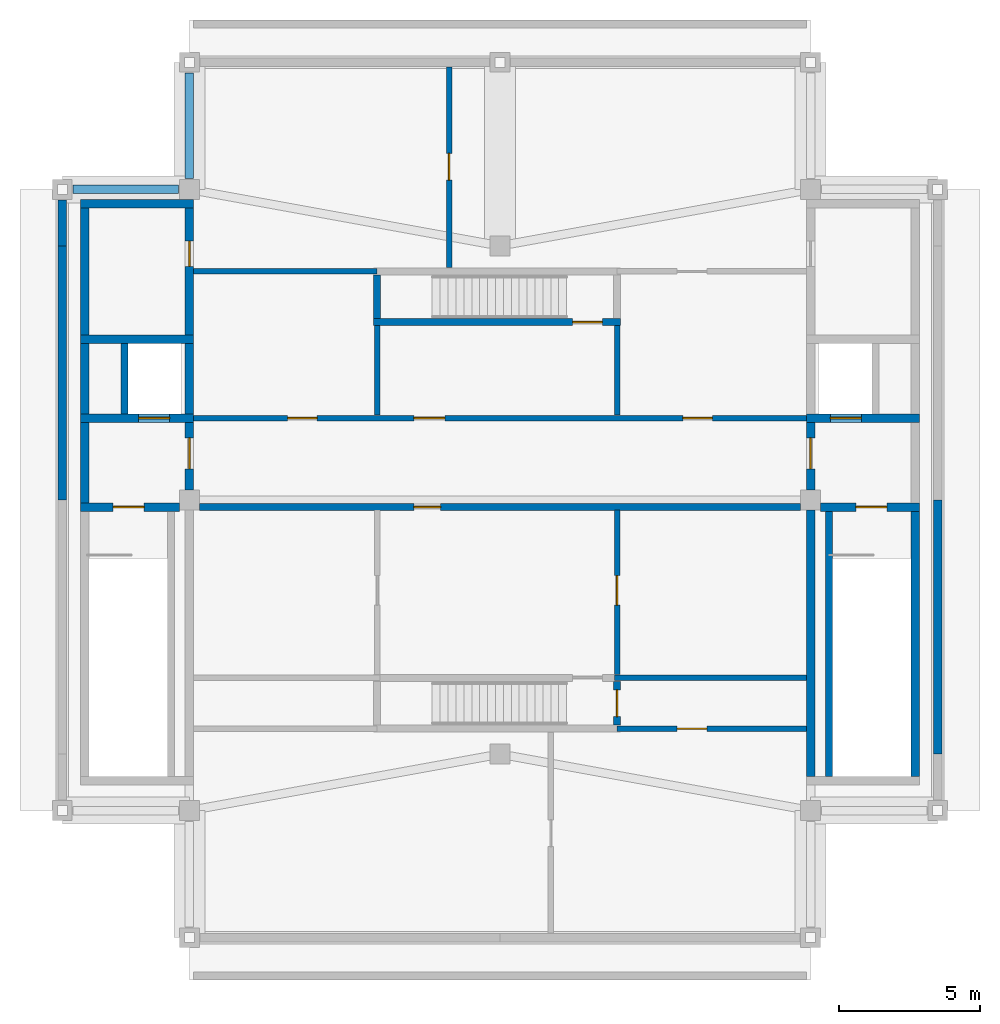
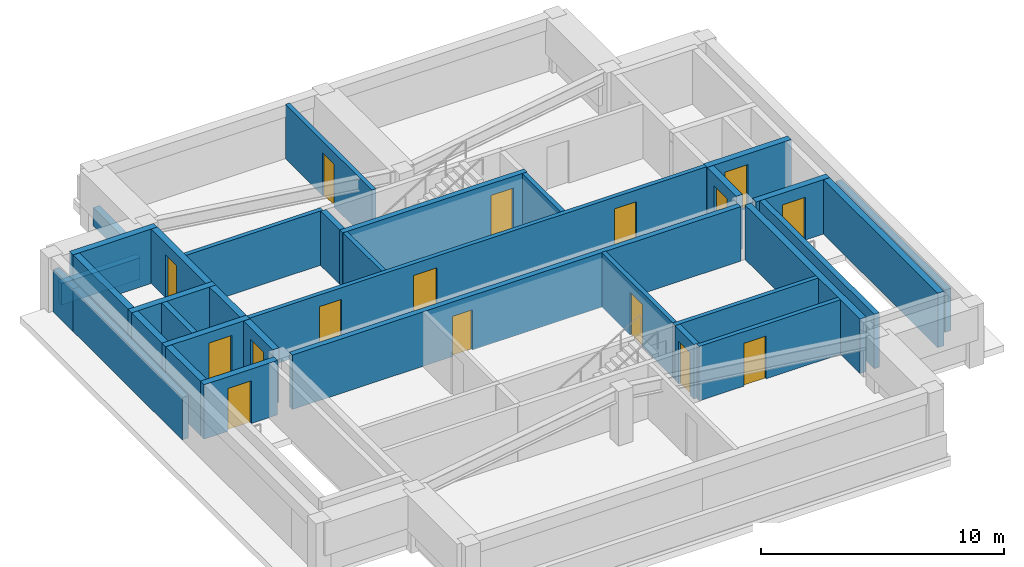
# One storey, part 2 of 4: 34 walls, 16 doors, 16 openings.
"""IFC4 building model written with IfcOpenShell, lengths in metres."""

from ifc_helpers import new_model, si_unit, direction, frame, frame_2d, origin, place, context, subcontext, project, spatial, rectangle, extrude, material, layer, layer_set, type_object, element, fill, save


model = new_model("IFC4")

# Units and contexts
model_context = context("Model", 3, precision=1e-05, world=origin(), true_north=direction((0.0, 1.0)))
body_context = subcontext(model_context, "Body", "Model", "MODEL_VIEW")
ifc_project = project(units=[si_unit("LENGTHUNIT", "METRE"), si_unit("AREAUNIT", "SQUARE_METRE"), si_unit("VOLUMEUNIT", "CUBIC_METRE"), si_unit("PLANEANGLEUNIT", "RADIAN"), si_unit("MASSUNIT", "GRAM", prefix="KILO")], contexts=[model_context])

# Site, building, storey
site_placement = place(None, origin())
site = spatial("IfcSite", under=ifc_project, at=site_placement, CompositionType="ELEMENT")
building_placement = place(site_placement, origin())
building = spatial("IfcBuilding", under=site, at=building_placement, Name="Zulmaris Gate Convention Tower", CompositionType="ELEMENT")
storey_placement = place(building_placement, frame((0.0, 0.0, 290.97998046875)))
storey = spatial("IfcBuildingStorey", under=building, at=storey_placement, Name="L78", CompositionType="ELEMENT", Elevation=290.97998046875)

# Wall, opening, door
ifc_material_1 = material(Name="Concrete C50/60", Category="concrete")
ifc_layer_1 = layer(ifc_material_1, 0.25, Name="Concrete C50/60")
ifc_layer_set_1 = layer_set([ifc_layer_1], Name="Concrete C50/60")
wall_type_1 = type_object("IfcWallType", Name="CORE-250", PredefinedType="SOLIDWALL", material=ifc_layer_set_1)
wall_1_placement = place(storey_placement, frame((-4.47509765625, 6.300048828125, 0.0), z_axis=(0.0, 0.0, 1.0), x_axis=(1.0, 0.0, 0.0)))
wall_1 = element("IfcWall", 1, at=wall_1_placement, inside=storey, type_object=wall_type_1, Name="WL-L78-011", PredefinedType="SOLIDWALL", context=body_context, shape_type="SweptSolid", body=[
    extrude(rectangle(XDim=8.75, YDim=0.25, at=frame_2d((4.375, 0.0))), origin(), (0.0, 0.0, 1.0), 2.735107421875),
])
opening_1_placement = place(wall_1_placement, frame((7.050048828125, 0.0, 0.0)))
opening_1 = element("IfcOpeningElement", 2, at=opening_1_placement, cuts=wall_1, Name="Opening D-09", PredefinedType="OPENING", context=body_context, shape_type="SweptSolid", body=[
    extrude(rectangle(XDim=1.050048828125, YDim=2.14990234375, at=frame_2d((0.52490234375, 1.074951171875))), frame((0.0, 0.135009765625, 0.0), z_axis=(0.0, -1.0, 0.0), x_axis=(1.0, 0.0, 0.0)), (0.0, 0.0, 1.0), 0.27001953125),
])
ifc_material_2 = material(Name="Fire-Rated Steel", Category="steel")
door_type_1 = type_object("IfcDoorType", Name="DR-1050-FD", OperationType="NOTDEFINED", PredefinedType="DOOR", material=ifc_material_2)
door_1_placement = place(opening_1_placement, origin())
door_1 = element("IfcDoor", 3, at=door_1_placement, inside=storey, type_object=door_type_1, Name="L78 Crown Stair ST-8 Door 10", OperationType="SINGLE_SWING_LEFT", OverallHeight=2.14990234375, OverallWidth=1.050048828125, PredefinedType="DOOR", context=body_context, shape_type="SweptSolid", body=[
    extrude(rectangle(XDim=1.050048828125, YDim=2.14990234375, at=frame_2d((0.52490234375, 1.074951171875))), frame((0.0, 0.02490234375, 0.0), z_axis=(0.0, -1.0, 0.0), x_axis=(1.0, 0.0, 0.0)), (0.0, 0.0, 1.0), 0.050048828125),
])
fill(opening_1, door_1)

wall_2_placement = place(storey_placement, frame((-10.64404296875, -0.25, 0.0), z_axis=(0.0, 0.0, 1.0), x_axis=(1.0, 0.0, 0.0)))
wall_2 = element("IfcWall", 4, at=wall_2_placement, inside=storey, type_object=wall_type_1, Name="WL-L78-019", PredefinedType="SOLIDWALL", context=body_context, shape_type="SweptSolid", body=[
    extrude(rectangle(XDim=21.2880859375, YDim=0.25, at=frame_2d((10.64404296875, 0.0))), origin(), (0.0, 0.0, 1.0), 2.735107421875),
])
opening_2_placement = place(wall_2_placement, frame((7.593994140625, 0.0, 0.0)))
opening_2 = element("IfcOpeningElement", 5, at=opening_2_placement, cuts=wall_2, Name="Opening D-25", PredefinedType="OPENING", context=body_context, shape_type="SweptSolid", body=[
    extrude(rectangle(XDim=0.949951171875, YDim=2.02001953125, at=frame_2d((0.47509765625, 1.010009765625))), frame((0.0, 0.135009765625, 0.0), z_axis=(0.0, -1.0, 0.0), x_axis=(1.0, 0.0, 0.0)), (0.0, 0.0, 1.0), 0.27001953125),
])
door_type_2 = type_object("IfcDoorType", Name="DR-950-LOW-FD", OperationType="NOTDEFINED", PredefinedType="DOOR", material=ifc_material_2)
door_2_placement = place(opening_2_placement, origin())
door_2 = element("IfcDoor", 6, at=door_2_placement, inside=storey, type_object=door_type_2, Name="L78 South Crown Passage Door 11", OperationType="SINGLE_SWING_RIGHT", OverallHeight=2.02001953125, OverallWidth=0.949951171875, PredefinedType="DOOR", context=body_context, shape_type="SweptSolid", body=[
    extrude(rectangle(XDim=0.949951171875, YDim=2.02001953125, at=frame_2d((0.47509765625, 1.010009765625))), frame((0.0, 0.02490234375, 0.0), z_axis=(0.0, -1.0, 0.0), x_axis=(1.0, 0.0, 0.0)), (0.0, 0.0, 1.0), 0.050048828125),
])
fill(opening_2, door_2)

# Walls
wall_3_placement = place(storey_placement, frame((-13.300048828125, 3.052001953125, 0.0), z_axis=(0.0, 0.0, 1.0), x_axis=(0.0, 1.0, 0.0)))
element("IfcWall", 7, at=wall_3_placement, inside=storey, type_object=wall_type_1, Name="WL-L78-027", PredefinedType="SOLIDWALL", context=body_context, shape_type="SweptSolid", body=[
    extrude(rectangle(XDim=2.49609375, YDim=0.25, at=frame_2d((1.248046875, 0.0))), origin(), (0.0, 0.0, 1.0), 2.735107421875),
])
wall_4_placement = place(storey_placement, frame((-4.35009765625, 6.427001953125, 0.0), z_axis=(0.0, 0.0, 1.0), x_axis=(0.0, 1.0, 0.0)))
element("IfcWall", 8, at=wall_4_placement, inside=storey, type_object=wall_type_1, Name="WL-L78-034", PredefinedType="SOLIDWALL", context=body_context, shape_type="SweptSolid", body=[
    extrude(rectangle(XDim=1.5458984375, YDim=0.25, at=frame_2d((0.77294921875, 0.0))), origin(), (0.0, 0.0, 1.0), 2.735107421875),
])

# Wall, opening, door
wall_5_placement = place(storey_placement, frame((4.14990234375, -7.972900390625, 0.0), z_axis=(0.0, 0.0, 1.0), x_axis=(0.0, 1.0, 0.0)))
wall_5 = element("IfcWall", 9, at=wall_5_placement, inside=storey, type_object=wall_type_1, Name="WL-L78-035", PredefinedType="SOLIDWALL", context=body_context, shape_type="SweptSolid", body=[
    extrude(rectangle(XDim=1.5458984375, YDim=0.25, at=frame_2d((0.77294921875, 0.0))), origin(), (0.0, 0.0, 1.0), 2.735107421875),
])
opening_3_placement = place(wall_5_placement, frame((0.298095703125, 0.0, 0.0)))
opening_3 = element("IfcOpeningElement", 10, at=opening_3_placement, cuts=wall_5, Name="Opening D-11", PredefinedType="OPENING", context=body_context, shape_type="SweptSolid", body=[
    extrude(rectangle(XDim=0.949951171875, YDim=2.14990234375, at=frame_2d((0.47509765625, 1.074951171875))), frame((0.0, 0.135009765625, 0.0), z_axis=(0.0, -1.0, 0.0), x_axis=(1.0, 0.0, 0.0)), (0.0, 0.0, 1.0), 0.27001953125),
])
ifc_material_3 = material(Name="Fire-Rated Timber", Category="wood")
door_type_3 = type_object("IfcDoorType", Name="DR-950-FD", OperationType="NOTDEFINED", PredefinedType="DOOR", material=ifc_material_3)
door_3_placement = place(opening_3_placement, origin())
door_3 = element("IfcDoor", 11, at=door_3_placement, inside=storey, type_object=door_type_3, Name="L78 South Vestibule Door 20", OperationType="SINGLE_SWING_LEFT", OverallHeight=2.14990234375, OverallWidth=0.949951171875, PredefinedType="DOOR", context=body_context, shape_type="SweptSolid", body=[
    extrude(rectangle(XDim=0.949951171875, YDim=2.14990234375, at=frame_2d((0.47509765625, 1.074951171875))), frame((0.0, 0.02490234375, 0.0), z_axis=(0.0, -1.0, 0.0), x_axis=(1.0, 0.0, 0.0)), (0.0, 0.0, 1.0), 0.050048828125),
])
fill(opening_3, door_3)

# Wall
wall_6_placement = place(storey_placement, frame((11.64990234375, -9.798095703125, 0.0), z_axis=(0.0, 0.0, 1.0), x_axis=(0.0, 1.0, 0.0)))
element("IfcWall", 12, at=wall_6_placement, inside=storey, type_object=wall_type_1, Name="WL-L78-041", PredefinedType="SOLIDWALL", context=body_context, shape_type="SweptSolid", body=[
    extrude(rectangle(XDim=9.39599609375, YDim=0.25, at=frame_2d((4.697998046875, 0.0))), origin(), (0.0, 0.0, 1.0), 2.735107421875),
])

# Wall, opening, door
ifc_layer_2 = layer(ifc_material_1, 0.300048828125, Name="Concrete C50/60")
ifc_layer_set_2 = layer_set([ifc_layer_2], Name="Concrete C50/60")
wall_type_2 = type_object("IfcWallType", Name="CORE-300", PredefinedType="SHEAR", material=ifc_layer_set_2)
wall_7_placement = place(storey_placement, frame((-14.85009765625, -0.25, 0.0), z_axis=(0.0, 0.0, 1.0), x_axis=(1.0, 0.0, 0.0)))
wall_7 = element("IfcWall", 13, at=wall_7_placement, inside=storey, type_object=wall_type_2, Name="WL-L78-005", PredefinedType="SHEAR", context=body_context, shape_type="SweptSolid", body=[
    extrude(rectangle(XDim=3.49609375, YDim=0.300048828125, at=frame_2d((1.748046875, 0.0))), origin(), (0.0, 0.0, 1.0), 2.735107421875),
])
opening_4_placement = place(wall_7_placement, frame((1.14990234375, 0.0, 0.0)))
opening_4 = element("IfcOpeningElement", 14, at=opening_4_placement, cuts=wall_7, Name="Opening D-08", PredefinedType="OPENING", context=body_context, shape_type="SweptSolid", body=[
    extrude(rectangle(XDim=1.10009765625, YDim=2.14990234375, at=frame_2d((0.550048828125, 1.074951171875))), frame((0.0, 0.16015625, 0.0), z_axis=(0.0, -1.0, 0.0), x_axis=(1.0, 0.0, 0.0)), (0.0, 0.0, 1.0), 0.320068359375),
])
door_type_4 = type_object("IfcDoorType", Name="DR-1100-FD", OperationType="NOTDEFINED", PredefinedType="DOOR", material=ifc_material_2)
door_4_placement = place(opening_4_placement, origin())
door_4 = element("IfcDoor", 15, at=door_4_placement, inside=storey, type_object=door_type_4, Name="L78 Exit Stair ST-1 Door 01", OperationType="SINGLE_SWING_RIGHT", OverallHeight=2.14990234375, OverallWidth=1.10009765625, PredefinedType="DOOR", context=body_context, shape_type="SweptSolid", body=[
    extrude(rectangle(XDim=1.10009765625, YDim=2.14990234375, at=frame_2d((0.550048828125, 1.074951171875))), frame((0.0, 0.02490234375, 0.0), z_axis=(0.0, -1.0, 0.0), x_axis=(1.0, 0.0, 0.0)), (0.0, 0.0, 1.0), 0.050048828125),
])
fill(opening_4, door_4)

wall_8_placement = place(storey_placement, frame((11.35400390625, -0.25, 0.0), z_axis=(0.0, 0.0, 1.0), x_axis=(1.0, 0.0, 0.0)))
wall_8 = element("IfcWall", 16, at=wall_8_placement, inside=storey, type_object=wall_type_2, Name="WL-L78-006", PredefinedType="SHEAR", context=body_context, shape_type="SweptSolid", body=[
    extrude(rectangle(XDim=3.49609375, YDim=0.300048828125, at=frame_2d((1.748046875, 0.0))), origin(), (0.0, 0.0, 1.0), 2.735107421875),
])
opening_5_placement = place(wall_8_placement, frame((1.24609375, 0.0, 0.0)))
opening_5 = element("IfcOpeningElement", 17, at=opening_5_placement, cuts=wall_8, Name="Opening D-08", PredefinedType="OPENING", context=body_context, shape_type="SweptSolid", body=[
    extrude(rectangle(XDim=1.10009765625, YDim=2.14990234375, at=frame_2d((0.550048828125, 1.074951171875))), frame((0.0, 0.16015625, 0.0), z_axis=(0.0, -1.0, 0.0), x_axis=(1.0, 0.0, 0.0)), (0.0, 0.0, 1.0), 0.320068359375),
])
door_5_placement = place(opening_5_placement, origin())
door_5 = element("IfcDoor", 18, at=door_5_placement, inside=storey, type_object=door_type_4, Name="L78 Exit Stair ST-2 Door 04", OperationType="SINGLE_SWING_RIGHT", OverallHeight=2.14990234375, OverallWidth=1.10009765625, PredefinedType="DOOR", context=body_context, shape_type="SweptSolid", body=[
    extrude(rectangle(XDim=1.10009765625, YDim=2.14990234375, at=frame_2d((0.550048828125, 1.074951171875))), frame((0.0, 0.02490234375, 0.0), z_axis=(0.0, -1.0, 0.0), x_axis=(1.0, 0.0, 0.0)), (0.0, 0.0, 1.0), 0.050048828125),
])
fill(opening_5, door_5)

wall_9_placement = place(storey_placement, frame((-14.85009765625, 2.89990234375, 0.0), z_axis=(0.0, 0.0, 1.0), x_axis=(1.0, 0.0, 0.0)))
wall_9 = element("IfcWall", 19, at=wall_9_placement, inside=storey, type_object=wall_type_2, Name="WL-L78-007", PredefinedType="SHEAR", context=body_context, shape_type="SweptSolid", body=[
    extrude(rectangle(XDim=4.0, YDim=0.300048828125, at=frame_2d((2.0, 0.0))), origin(), (0.0, 0.0, 1.0), 2.735107421875),
])
opening_6_placement = place(wall_9_placement, frame((2.050048828125, 0.0, 0.0)))
opening_6 = element("IfcOpeningElement", 20, at=opening_6_placement, cuts=wall_9, Name="Opening D-06", PredefinedType="OPENING", context=body_context, shape_type="SweptSolid", body=[
    extrude(rectangle(XDim=1.10009765625, YDim=2.199951171875, at=frame_2d((0.550048828125, 1.10009765625))), frame((0.0, 0.16015625, 0.0), z_axis=(0.0, -1.0, 0.0), x_axis=(1.0, 0.0, 0.0)), (0.0, 0.0, 1.0), 0.320068359375),
])
ifc_material_4 = material(Name="Brushed Stainless Steel", Category="steel")
door_type_5 = type_object("IfcDoorType", Name="LD-1100", OperationType="NOTDEFINED", PredefinedType="DOOR", material=ifc_material_4)
door_6_placement = place(opening_6_placement, origin())
door_6 = element("IfcDoor", 21, at=door_6_placement, inside=storey, type_object=door_type_5, Name="L78 Lift Landing Door LF-01 03", OperationType="SLIDING_TO_LEFT", OverallHeight=2.199951171875, OverallWidth=1.10009765625, PredefinedType="DOOR", context=body_context, shape_type="SweptSolid", body=[
    extrude(rectangle(XDim=1.10009765625, YDim=2.199951171875, at=frame_2d((0.550048828125, 1.10009765625))), frame((0.0, 0.02490234375, 0.0), z_axis=(0.0, -1.0, 0.0), x_axis=(1.0, 0.0, 0.0)), (0.0, 0.0, 1.0), 0.050048828125),
])
fill(opening_6, door_6)

wall_10_placement = place(storey_placement, frame((10.85009765625, 2.89990234375, 0.0), z_axis=(0.0, 0.0, 1.0), x_axis=(1.0, 0.0, 0.0)))
wall_10 = element("IfcWall", 22, at=wall_10_placement, inside=storey, type_object=wall_type_2, Name="WL-L78-008", PredefinedType="SHEAR", context=body_context, shape_type="SweptSolid", body=[
    extrude(rectangle(XDim=4.0, YDim=0.300048828125, at=frame_2d((2.0, 0.0))), origin(), (0.0, 0.0, 1.0), 2.735107421875),
])
opening_7_placement = place(wall_10_placement, frame((0.85009765625, 0.0, 0.0)))
opening_7 = element("IfcOpeningElement", 23, at=opening_7_placement, cuts=wall_10, Name="Opening D-06", PredefinedType="OPENING", context=body_context, shape_type="SweptSolid", body=[
    extrude(rectangle(XDim=1.10009765625, YDim=2.199951171875, at=frame_2d((0.550048828125, 1.10009765625))), frame((0.0, 0.16015625, 0.0), z_axis=(0.0, -1.0, 0.0), x_axis=(1.0, 0.0, 0.0)), (0.0, 0.0, 1.0), 0.320068359375),
])
door_7_placement = place(opening_7_placement, origin())
door_7 = element("IfcDoor", 24, at=door_7_placement, inside=storey, type_object=door_type_5, Name="L78 Lift Landing Door LF-02 06", OperationType="SLIDING_TO_RIGHT", OverallHeight=2.199951171875, OverallWidth=1.10009765625, PredefinedType="DOOR", context=body_context, shape_type="SweptSolid", body=[
    extrude(rectangle(XDim=1.10009765625, YDim=2.199951171875, at=frame_2d((0.550048828125, 1.10009765625))), frame((0.0, 0.02490234375, 0.0), z_axis=(0.0, -1.0, 0.0), x_axis=(1.0, 0.0, 0.0)), (0.0, 0.0, 1.0), 0.050048828125),
])
fill(opening_7, door_7)

# Walls
for number, where, z_axis, x_axis, name in (
    (25, (-14.85009765625, 5.699951171875, 0.0), (0.0, 0.0, 1.0), (1.0, 0.0, 0.0), "WL-L78-009"),
    (26, (-14.85009765625, 10.5, 0.0), (0.0, 0.0, 1.0), (1.0, 0.0, 0.0), "WL-L78-013"),
):
    element("IfcWall", number, at=place(storey_placement, frame(where, z_axis=z_axis, x_axis=x_axis)), inside=storey, type_object=wall_type_2, Name=name, PredefinedType="SHEAR", context=body_context, shape_type="SweptSolid", body=[
        extrude(rectangle(XDim=4.0, YDim=0.300048828125, at=frame_2d((2.0, 0.0))), origin(), (0.0, 0.0, 1.0), 2.735107421875),
    ])
wall_11_placement = place(storey_placement, frame((-14.699951171875, -0.097900390625, 0.0), z_axis=(0.0, 0.0, 1.0), x_axis=(0.0, 1.0, 0.0)))
element("IfcWall", 27, at=wall_11_placement, inside=storey, type_object=wall_type_2, Name="WL-L78-024", PredefinedType="SHEAR", context=body_context, shape_type="SweptSolid", body=[
    extrude(rectangle(XDim=2.845947265625, YDim=0.300048828125, at=frame_2d((1.4228515625, 0.0))), origin(), (0.0, 0.0, 1.0), 2.735107421875),
])
wall_12_placement = place(storey_placement, frame((-14.699951171875, 3.052001953125, 0.0), z_axis=(0.0, 0.0, 1.0), x_axis=(0.0, 1.0, 0.0)))
element("IfcWall", 28, at=wall_12_placement, inside=storey, type_object=wall_type_2, Name="WL-L78-025", PredefinedType="SHEAR", context=body_context, shape_type="SweptSolid", body=[
    extrude(rectangle(XDim=2.49609375, YDim=0.300048828125, at=frame_2d((1.248046875, 0.0))), origin(), (0.0, 0.0, 1.0), 2.735107421875),
])
wall_13_placement = place(storey_placement, frame((-14.699951171875, 5.85205078125, 0.0), z_axis=(0.0, 0.0, 1.0), x_axis=(0.0, 1.0, 0.0)))
element("IfcWall", 29, at=wall_13_placement, inside=storey, type_object=wall_type_2, Name="WL-L78-026", PredefinedType="SHEAR", context=body_context, shape_type="SweptSolid", body=[
    extrude(rectangle(XDim=4.495849609375, YDim=0.300048828125, at=frame_2d((2.248046875, 0.0))), origin(), (0.0, 0.0, 1.0), 2.735107421875),
])

# Wall, opening, door
wall_14_placement = place(storey_placement, frame((-11.0, 0.35400390625, 0.0), z_axis=(0.0, 0.0, 1.0), x_axis=(0.0, 1.0, 0.0)))
wall_14 = element("IfcWall", 30, at=wall_14_placement, inside=storey, type_object=wall_type_2, Name="WL-L78-030", PredefinedType="SHEAR", context=body_context, shape_type="SweptSolid", body=[
    extrude(rectangle(XDim=2.39404296875, YDim=0.300048828125, at=frame_2d((1.197021484375, 0.0))), origin(), (0.0, 0.0, 1.0), 2.735107421875),
])
opening_8_placement = place(wall_14_placement, frame((0.74609375, 0.0, 0.0)))
opening_8 = element("IfcOpeningElement", 31, at=opening_8_placement, cuts=wall_14, Name="Opening D-08", PredefinedType="OPENING", context=body_context, shape_type="SweptSolid", body=[
    extrude(rectangle(XDim=1.10009765625, YDim=2.14990234375, at=frame_2d((0.550048828125, 1.074951171875))), frame((0.0, 0.16015625, 0.0), z_axis=(0.0, -1.0, 0.0), x_axis=(1.0, 0.0, 0.0)), (0.0, 0.0, 1.0), 0.320068359375),
])
door_8_placement = place(opening_8_placement, origin())
door_8 = element("IfcDoor", 32, at=door_8_placement, inside=storey, type_object=door_type_4, Name="L78 West Firefighting Lobby Door 02", OperationType="SINGLE_SWING_LEFT", OverallHeight=2.14990234375, OverallWidth=1.10009765625, PredefinedType="DOOR", context=body_context, shape_type="SweptSolid", body=[
    extrude(rectangle(XDim=1.10009765625, YDim=2.14990234375, at=frame_2d((0.550048828125, 1.074951171875))), frame((0.0, 0.02490234375, 0.0), z_axis=(0.0, -1.0, 0.0), x_axis=(1.0, 0.0, 0.0)), (0.0, 0.0, 1.0), 0.050048828125),
])
fill(opening_8, door_8)

# Wall
wall_15_placement = place(storey_placement, frame((-11.0, 3.052001953125, 0.0), z_axis=(0.0, 0.0, 1.0), x_axis=(0.0, 1.0, 0.0)))
element("IfcWall", 33, at=wall_15_placement, inside=storey, type_object=wall_type_2, Name="WL-L78-031", PredefinedType="SHEAR", context=body_context, shape_type="SweptSolid", body=[
    extrude(rectangle(XDim=2.49609375, YDim=0.300048828125, at=frame_2d((1.248046875, 0.0))), origin(), (0.0, 0.0, 1.0), 2.735107421875),
])

# Wall, opening, door
wall_16_placement = place(storey_placement, frame((-11.0, 5.85205078125, 0.0), z_axis=(0.0, 0.0, 1.0), x_axis=(0.0, 1.0, 0.0)))
wall_16 = element("IfcWall", 34, at=wall_16_placement, inside=storey, type_object=wall_type_2, Name="WL-L78-032", PredefinedType="SHEAR", context=body_context, shape_type="SweptSolid", body=[
    extrude(rectangle(XDim=4.7939453125, YDim=0.300048828125, at=frame_2d((2.39697265625, 0.0))), origin(), (0.0, 0.0, 1.0), 2.735107421875),
])
opening_9_placement = place(wall_16_placement, frame((2.41796875, 0.0, 0.0)))
opening_9 = element("IfcOpeningElement", 35, at=opening_9_placement, cuts=wall_16, Name="Opening D-12", PredefinedType="OPENING", context=body_context, shape_type="SweptSolid", body=[
    extrude(rectangle(XDim=0.89990234375, YDim=2.14990234375, at=frame_2d((0.449951171875, 1.074951171875))), frame((0.0, 0.16015625, 0.0), z_axis=(0.0, -1.0, 0.0), x_axis=(1.0, 0.0, 0.0)), (0.0, 0.0, 1.0), 0.320068359375),
])
door_type_6 = type_object("IfcDoorType", Name="DR-900-FD", OperationType="NOTDEFINED", PredefinedType="DOOR", material=ifc_material_3)
door_9_placement = place(opening_9_placement, origin())
door_9 = element("IfcDoor", 36, at=door_9_placement, inside=storey, type_object=door_type_6, Name="L78 Crown Electrical Door 07", OperationType="SINGLE_SWING_RIGHT", OverallHeight=2.14990234375, OverallWidth=0.89990234375, PredefinedType="DOOR", context=body_context, shape_type="SweptSolid", body=[
    extrude(rectangle(XDim=0.89990234375, YDim=2.14990234375, at=frame_2d((0.449951171875, 1.074951171875))), frame((0.0, 0.02490234375, 0.0), z_axis=(0.0, -1.0, 0.0), x_axis=(1.0, 0.0, 0.0)), (0.0, 0.0, 1.0), 0.050048828125),
])
fill(opening_9, door_9)

# Wall
wall_17_placement = place(storey_placement, frame((11.0, -9.798095703125, 0.0), z_axis=(0.0, 0.0, 1.0), x_axis=(0.0, 1.0, 0.0)))
element("IfcWall", 37, at=wall_17_placement, inside=storey, type_object=wall_type_2, Name="WL-L78-037", PredefinedType="SHEAR", context=body_context, shape_type="SweptSolid", body=[
    extrude(rectangle(XDim=9.444091796875, YDim=0.300048828125, at=frame_2d((4.72216796875, 0.0))), origin(), (0.0, 0.0, 1.0), 2.735107421875),
])

# Wall, opening, door
wall_18_placement = place(storey_placement, frame((11.0, 0.35400390625, 0.0), z_axis=(0.0, 0.0, 1.0), x_axis=(0.0, 1.0, 0.0)))
wall_18 = element("IfcWall", 38, at=wall_18_placement, inside=storey, type_object=wall_type_2, Name="WL-L78-038", PredefinedType="SHEAR", context=body_context, shape_type="SweptSolid", body=[
    extrude(rectangle(XDim=2.39404296875, YDim=0.300048828125, at=frame_2d((1.197021484375, 0.0))), origin(), (0.0, 0.0, 1.0), 2.735107421875),
])
opening_10_placement = place(wall_18_placement, frame((0.74609375, 0.0, 0.0)))
opening_10 = element("IfcOpeningElement", 39, at=opening_10_placement, cuts=wall_18, Name="Opening D-08", PredefinedType="OPENING", context=body_context, shape_type="SweptSolid", body=[
    extrude(rectangle(XDim=1.10009765625, YDim=2.14990234375, at=frame_2d((0.550048828125, 1.074951171875))), frame((0.0, 0.16015625, 0.0), z_axis=(0.0, -1.0, 0.0), x_axis=(1.0, 0.0, 0.0)), (0.0, 0.0, 1.0), 0.320068359375),
])
door_10_placement = place(opening_10_placement, origin())
door_10 = element("IfcDoor", 40, at=door_10_placement, inside=storey, type_object=door_type_4, Name="L78 East Firefighting Lobby Door 05", OperationType="SINGLE_SWING_LEFT", OverallHeight=2.14990234375, OverallWidth=1.10009765625, PredefinedType="DOOR", context=body_context, shape_type="SweptSolid", body=[
    extrude(rectangle(XDim=1.10009765625, YDim=2.14990234375, at=frame_2d((0.550048828125, 1.074951171875))), frame((0.0, 0.02490234375, 0.0), z_axis=(0.0, -1.0, 0.0), x_axis=(1.0, 0.0, 0.0)), (0.0, 0.0, 1.0), 0.050048828125),
])
fill(opening_10, door_10)

# Wall
wall_19_placement = place(storey_placement, frame((14.699951171875, -9.798095703125, 0.0), z_axis=(0.0, 0.0, 1.0), x_axis=(0.0, 1.0, 0.0)))
element("IfcWall", 41, at=wall_19_placement, inside=storey, type_object=wall_type_2, Name="WL-L78-043", PredefinedType="SHEAR", context=body_context, shape_type="SweptSolid", body=[
    extrude(rectangle(XDim=9.39599609375, YDim=0.300048828125, at=frame_2d((4.697998046875, 0.0))), origin(), (0.0, 0.0, 1.0), 2.735107421875),
])

# Wall, opening, door
ifc_material_5 = material(Name="Autoclaved Aerated Concrete Block and Plasterboard", Category="concrete")
ifc_layer_3 = layer(ifc_material_5, 0.199951171875, Name="Autoclaved Aerated Concrete Block and Plasterboard")
ifc_layer_set_3 = layer_set([ifc_layer_3], Name="Autoclaved Aerated Concrete Block and Plasterboard")
wall_type_3 = type_object("IfcWallType", Name="PART-200", PredefinedType="PARTITIONING", material=ifc_layer_set_3)
wall_20_placement = place(storey_placement, frame((4.14990234375, -8.10009765625, 0.0), z_axis=(0.0, 0.0, 1.0), x_axis=(1.0, 0.0, 0.0)))
wall_20 = element("IfcWall", 42, at=wall_20_placement, inside=storey, type_object=wall_type_3, Name="WL-L78-016", PredefinedType="PARTITIONING", context=body_context, shape_type="SweptSolid", body=[
    extrude(rectangle(XDim=6.697021484375, YDim=0.199951171875, at=frame_2d((3.3486328125, 0.0))), origin(), (0.0, 0.0, 1.0), 2.735107421875),
])
opening_11_placement = place(wall_20_placement, frame((2.125, 0.0, 0.0)))
opening_11 = element("IfcOpeningElement", 43, at=opening_11_placement, cuts=wall_20, Name="Opening D-09", PredefinedType="OPENING", context=body_context, shape_type="SweptSolid", body=[
    extrude(rectangle(XDim=1.050048828125, YDim=2.14990234375, at=frame_2d((0.52490234375, 1.074951171875))), frame((0.0, 0.10986328125, 0.0), z_axis=(0.0, -1.0, 0.0), x_axis=(1.0, 0.0, 0.0)), (0.0, 0.0, 1.0), 0.219970703125),
])
door_11_placement = place(opening_11_placement, origin())
door_11 = element("IfcDoor", 44, at=door_11_placement, inside=storey, type_object=door_type_1, Name="L78 Cooling Plant Door 21", OperationType="SINGLE_SWING_RIGHT", OverallHeight=2.14990234375, OverallWidth=1.050048828125, PredefinedType="DOOR", context=body_context, shape_type="SweptSolid", body=[
    extrude(rectangle(XDim=1.050048828125, YDim=2.14990234375, at=frame_2d((0.52490234375, 1.074951171875))), frame((0.0, 0.02490234375, 0.0), z_axis=(0.0, -1.0, 0.0), x_axis=(1.0, 0.0, 0.0)), (0.0, 0.0, 1.0), 0.050048828125),
])
fill(opening_11, door_11)

# Wall
wall_21_placement = place(storey_placement, frame((4.050048828125, -6.300048828125, 0.0), z_axis=(0.0, 0.0, 1.0), x_axis=(1.0, 0.0, 0.0)))
element("IfcWall", 45, at=wall_21_placement, inside=storey, type_object=wall_type_3, Name="WL-L78-018", PredefinedType="PARTITIONING", context=body_context, shape_type="SweptSolid", body=[
    extrude(rectangle(XDim=6.796875, YDim=0.199951171875, at=frame_2d((3.3984375, 0.0))), origin(), (0.0, 0.0, 1.0), 2.735107421875),
])

# Wall, openings, doors
wall_22_placement = place(storey_placement, frame((-11.0, 2.89990234375, 0.0), z_axis=(0.0, 0.0, 1.0), x_axis=(1.0, 0.0, 0.0)))
wall_22 = element("IfcWall", 46, at=wall_22_placement, inside=storey, type_object=wall_type_3, Name="WL-L78-020", PredefinedType="PARTITIONING", context=body_context, shape_type="SweptSolid", body=[
    extrude(rectangle(XDim=22.0, YDim=0.199951171875, at=frame_2d((11.0, 0.0))), origin(), (0.0, 0.0, 1.0), 2.735107421875),
])
opening_12_placement = place(wall_22_placement, frame((7.949951171875, 0.0, 0.0)))
opening_12 = element("IfcOpeningElement", 47, at=opening_12_placement, cuts=wall_22, Name="Opening D-08", PredefinedType="OPENING", context=body_context, shape_type="SweptSolid", body=[
    extrude(rectangle(XDim=1.10009765625, YDim=2.14990234375, at=frame_2d((0.550048828125, 1.074951171875))), frame((0.0, 0.10986328125, 0.0), z_axis=(0.0, -1.0, 0.0), x_axis=(1.0, 0.0, 0.0)), (0.0, 0.0, 1.0), 0.219970703125),
])
opening_13_placement = place(wall_22_placement, frame((17.47509765625, 0.0, 0.0)))
opening_13 = element("IfcOpeningElement", 48, at=opening_13_placement, cuts=wall_22, Name="Opening D-09", PredefinedType="OPENING", context=body_context, shape_type="SweptSolid", body=[
    extrude(rectangle(XDim=1.050048828125, YDim=2.14990234375, at=frame_2d((0.52490234375, 1.074951171875))), frame((0.0, 0.10986328125, 0.0), z_axis=(0.0, -1.0, 0.0), x_axis=(1.0, 0.0, 0.0)), (0.0, 0.0, 1.0), 0.219970703125),
])
opening_14_placement = place(wall_22_placement, frame((3.47509765625, 0.0, 0.0)))
opening_14 = element("IfcOpeningElement", 49, at=opening_14_placement, cuts=wall_22, Name="Opening D-09", PredefinedType="OPENING", context=body_context, shape_type="SweptSolid", body=[
    extrude(rectangle(XDim=1.050048828125, YDim=2.14990234375, at=frame_2d((0.52490234375, 1.074951171875))), frame((0.0, 0.10986328125, 0.0), z_axis=(0.0, -1.0, 0.0), x_axis=(1.0, 0.0, 0.0)), (0.0, 0.0, 1.0), 0.219970703125),
])
door_12_placement = place(opening_13_placement, origin())
door_12 = element("IfcDoor", 50, at=door_12_placement, inside=storey, type_object=door_type_1, Name="L78 East Crown Plant Door 15", OperationType="SINGLE_SWING_RIGHT", OverallHeight=2.14990234375, OverallWidth=1.050048828125, PredefinedType="DOOR", context=body_context, shape_type="SweptSolid", body=[
    extrude(rectangle(XDim=1.050048828125, YDim=2.14990234375, at=frame_2d((0.52490234375, 1.074951171875))), frame((0.0, 0.02490234375, 0.0), z_axis=(0.0, -1.0, 0.0), x_axis=(1.0, 0.0, 0.0)), (0.0, 0.0, 1.0), 0.050048828125),
])
fill(opening_13, door_12)
door_13_placement = place(opening_14_placement, origin())
door_13 = element("IfcDoor", 51, at=door_13_placement, inside=storey, type_object=door_type_1, Name="L78 BMS Telemetry Door 19", OperationType="SINGLE_SWING_RIGHT", OverallHeight=2.14990234375, OverallWidth=1.050048828125, PredefinedType="DOOR", context=body_context, shape_type="SweptSolid", body=[
    extrude(rectangle(XDim=1.050048828125, YDim=2.14990234375, at=frame_2d((0.52490234375, 1.074951171875))), frame((0.0, 0.02490234375, 0.0), z_axis=(0.0, -1.0, 0.0), x_axis=(1.0, 0.0, 0.0)), (0.0, 0.0, 1.0), 0.050048828125),
])
fill(opening_14, door_13)
door_14_placement = place(opening_12_placement, origin())
door_14 = element("IfcDoor", 52, at=door_14_placement, inside=storey, type_object=door_type_4, Name="L78 North Crown Passage Door 12", OperationType="SINGLE_SWING_LEFT", OverallHeight=2.14990234375, OverallWidth=1.10009765625, PredefinedType="DOOR", context=body_context, shape_type="SweptSolid", body=[
    extrude(rectangle(XDim=1.10009765625, YDim=2.14990234375, at=frame_2d((0.550048828125, 1.074951171875))), frame((0.0, 0.02490234375, 0.0), z_axis=(0.0, -1.0, 0.0), x_axis=(1.0, 0.0, 0.0)), (0.0, 0.0, 1.0), 0.050048828125),
])
fill(opening_12, door_14)

# Walls
wall_23_placement = place(storey_placement, frame((-10.846923828125, 8.10009765625, 0.0), z_axis=(0.0, 0.0, 1.0), x_axis=(1.0, 0.0, 0.0)))
element("IfcWall", 53, at=wall_23_placement, inside=storey, type_object=wall_type_3, Name="WL-L78-021", PredefinedType="PARTITIONING", context=body_context, shape_type="SweptSolid", body=[
    extrude(rectangle(XDim=6.496826171875, YDim=0.199951171875, at=frame_2d((3.24853515625, 0.0))), origin(), (0.0, 0.0, 1.0), 2.735107421875),
])
wall_24_placement = place(storey_placement, frame((-4.35009765625, 3.0029296875, 0.0), z_axis=(0.0, 0.0, 1.0), x_axis=(0.0, 1.0, 0.0)))
element("IfcWall", 54, at=wall_24_placement, inside=storey, type_object=wall_type_3, Name="WL-L78-048", PredefinedType="PARTITIONING", context=body_context, shape_type="SweptSolid", body=[
    extrude(rectangle(XDim=3.169189453125, YDim=0.199951171875, at=frame_2d((1.58447265625, 0.0))), origin(), (0.0, 0.0, 1.0), 2.735107421875),
])

# Wall, opening, door
wall_25_placement = place(storey_placement, frame((-1.800048828125, 8.22802734375, 0.0), z_axis=(0.0, 0.0, 1.0), x_axis=(0.0, 1.0, 0.0)))
wall_25 = element("IfcWall", 55, at=wall_25_placement, inside=storey, type_object=wall_type_3, Name="WL-L78-049", PredefinedType="PARTITIONING", context=body_context, shape_type="SweptSolid", body=[
    extrude(rectangle(XDim=7.10693359375, YDim=0.199951171875, at=frame_2d((3.553466796875, 0.0))), origin(), (0.0, 0.0, 1.0), 2.735107421875),
])
opening_15_placement = place(wall_25_placement, frame((3.096923828125, 0.0, 0.0)))
opening_15 = element("IfcOpeningElement", 56, at=opening_15_placement, cuts=wall_25, Name="Opening D-11", PredefinedType="OPENING", context=body_context, shape_type="SweptSolid", body=[
    extrude(rectangle(XDim=0.949951171875, YDim=2.14990234375, at=frame_2d((0.47509765625, 1.074951171875))), frame((0.0, 0.10986328125, 0.0), z_axis=(0.0, -1.0, 0.0), x_axis=(1.0, 0.0, 0.0)), (0.0, 0.0, 1.0), 0.219970703125),
])
door_15_placement = place(opening_15_placement, origin())
door_15 = element("IfcDoor", 57, at=door_15_placement, inside=storey, type_object=door_type_3, Name="L78 West Water Tank Door 17", OperationType="SINGLE_SWING_RIGHT", OverallHeight=2.14990234375, OverallWidth=0.949951171875, PredefinedType="DOOR", context=body_context, shape_type="SweptSolid", body=[
    extrude(rectangle(XDim=0.949951171875, YDim=2.14990234375, at=frame_2d((0.47509765625, 1.074951171875))), frame((0.0, 0.02490234375, 0.0), z_axis=(0.0, -1.0, 0.0), x_axis=(1.0, 0.0, 0.0)), (0.0, 0.0, 1.0), 0.050048828125),
])
fill(opening_15, door_15)

wall_26_placement = place(storey_placement, frame((4.14990234375, -6.172119140625, 0.0), z_axis=(0.0, 0.0, 1.0), x_axis=(0.0, 1.0, 0.0)))
wall_26 = element("IfcWall", 58, at=wall_26_placement, inside=storey, type_object=wall_type_3, Name="WL-L78-051", PredefinedType="PARTITIONING", context=body_context, shape_type="SweptSolid", body=[
    extrude(rectangle(XDim=5.819091796875, YDim=0.199951171875, at=frame_2d((2.90966796875, 0.0))), origin(), (0.0, 0.0, 1.0), 2.735107421875),
])
opening_16_placement = place(wall_26_placement, frame((2.447021484375, 0.0, 0.0)))
opening_16 = element("IfcOpeningElement", 59, at=opening_16_placement, cuts=wall_26, Name="Opening D-09", PredefinedType="OPENING", context=body_context, shape_type="SweptSolid", body=[
    extrude(rectangle(XDim=1.050048828125, YDim=2.14990234375, at=frame_2d((0.52490234375, 1.074951171875))), frame((0.0, 0.10986328125, 0.0), z_axis=(0.0, -1.0, 0.0), x_axis=(1.0, 0.0, 0.0)), (0.0, 0.0, 1.0), 0.219970703125),
])
door_16_placement = place(opening_16_placement, origin())
door_16 = element("IfcDoor", 60, at=door_16_placement, inside=storey, type_object=door_type_1, Name="L78 Crown AHU Door 14", OperationType="SINGLE_SWING_LEFT", OverallHeight=2.14990234375, OverallWidth=1.050048828125, PredefinedType="DOOR", context=body_context, shape_type="SweptSolid", body=[
    extrude(rectangle(XDim=1.050048828125, YDim=2.14990234375, at=frame_2d((0.52490234375, 1.074951171875))), frame((0.0, 0.02490234375, 0.0), z_axis=(0.0, -1.0, 0.0), x_axis=(1.0, 0.0, 0.0)), (0.0, 0.0, 1.0), 0.050048828125),
])
fill(opening_16, door_16)

# Walls
wall_27_placement = place(storey_placement, frame((4.14990234375, 3.0029296875, 0.0), z_axis=(0.0, 0.0, 1.0), x_axis=(0.0, 1.0, 0.0)))
element("IfcWall", 61, at=wall_27_placement, inside=storey, type_object=wall_type_3, Name="WL-L78-052", PredefinedType="PARTITIONING", context=body_context, shape_type="SweptSolid", body=[
    extrude(rectangle(XDim=3.169189453125, YDim=0.199951171875, at=frame_2d((1.58447265625, 0.0))), origin(), (0.0, 0.0, 1.0), 2.735107421875),
])
ifc_material_6 = material(Name="Precast concrete C40/50", Category="concrete")
ifc_layer_4 = layer(ifc_material_6, 0.300048828125, Name="Precast concrete C40/50")
ifc_layer_set_4 = layer_set([ifc_layer_4], Name="Precast concrete C40/50")
wall_type_4 = type_object("IfcWallType", Name="PRECAST-CROWN-300", PredefinedType="STANDARD", material=ifc_layer_set_4)
for number, where, z_axis, x_axis, name in (
    (62, (15.5, -9.0, 0.0), (0.0, 0.0, 1.0), (0.0, 1.0, 0.0), "EW-L78-CR-E1_0"),
    (63, (-15.5, 9.0, 0.0), (0.0, 0.0, 1.0), (0.0, -1.0, 0.0), "EW-L78-CR-W2_0"),
):
    element("IfcWall", number, at=place(storey_placement, frame(where, z_axis=z_axis, x_axis=x_axis)), inside=storey, type_object=wall_type_4, Name=name, PredefinedType="STANDARD", context=body_context, shape_type="SweptSolid", body=[
        extrude(rectangle(XDim=9.0, YDim=0.300048828125, at=frame_2d((4.5, 0.0))), origin(), (0.0, 0.0, 1.0), 2.126953125),
    ])
wall_28_placement = place(storey_placement, frame((-15.5, 10.6201171875, 0.0), z_axis=(0.0, 0.0, 1.0), x_axis=(0.0, -1.0, 0.0)))
element("IfcWall", 64, at=wall_28_placement, inside=storey, type_object=wall_type_4, Name="EW-L78-CR-W3_0", PredefinedType="STANDARD", context=body_context, shape_type="SweptSolid", body=[
    extrude(rectangle(XDim=1.6201171875, YDim=0.300048828125, at=frame_2d((0.81005859375, 0.0))), origin(), (0.0, 0.0, 1.0), 2.126953125),
])
wall_29_placement = place(storey_placement, frame((-11.0, 15.1201171875, 0.0), z_axis=(0.0, 0.0, 1.0), x_axis=(0.0, -1.0, 0.0)))
element("IfcWall", 65, at=wall_29_placement, inside=storey, type_object=wall_type_4, Name="EW-L78-CR-NW1_0", PredefinedType="STANDARD", context=body_context, shape_type="SweptSolid", body=[
    extrude(rectangle(XDim=3.740234375, YDim=0.300048828125, at=frame_2d((1.8701171875, 0.0))), origin(), (0.0, 0.0, 1.0), 0.927001953125),
])
wall_30_placement = place(storey_placement, frame((-11.3798828125, 11.0, 0.0), z_axis=(0.0, 0.0, 1.0), x_axis=(-1.0, 0.0, 0.0)))
element("IfcWall", 66, at=wall_30_placement, inside=storey, type_object=wall_type_4, Name="EW-L78-CR-NW2_0", PredefinedType="STANDARD", context=body_context, shape_type="SweptSolid", body=[
    extrude(rectangle(XDim=3.740234375, YDim=0.300048828125, at=frame_2d((1.8701171875, 0.0))), origin(), (0.0, 0.0, 1.0), 1.076904296875),
])

save(model, "model.ifc")
